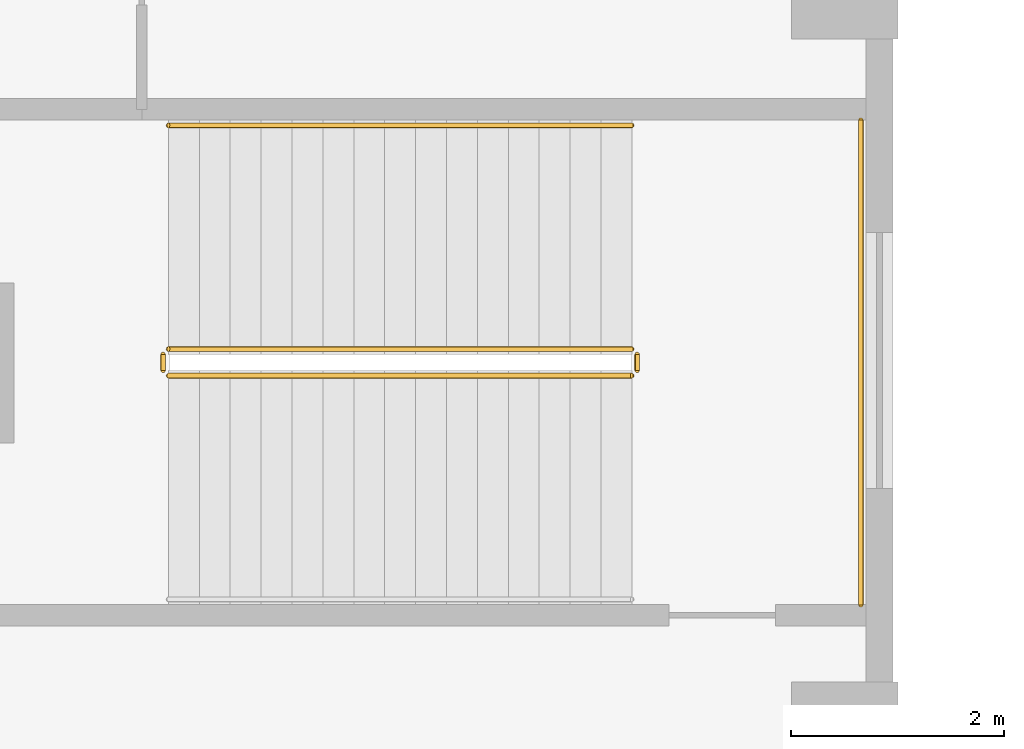
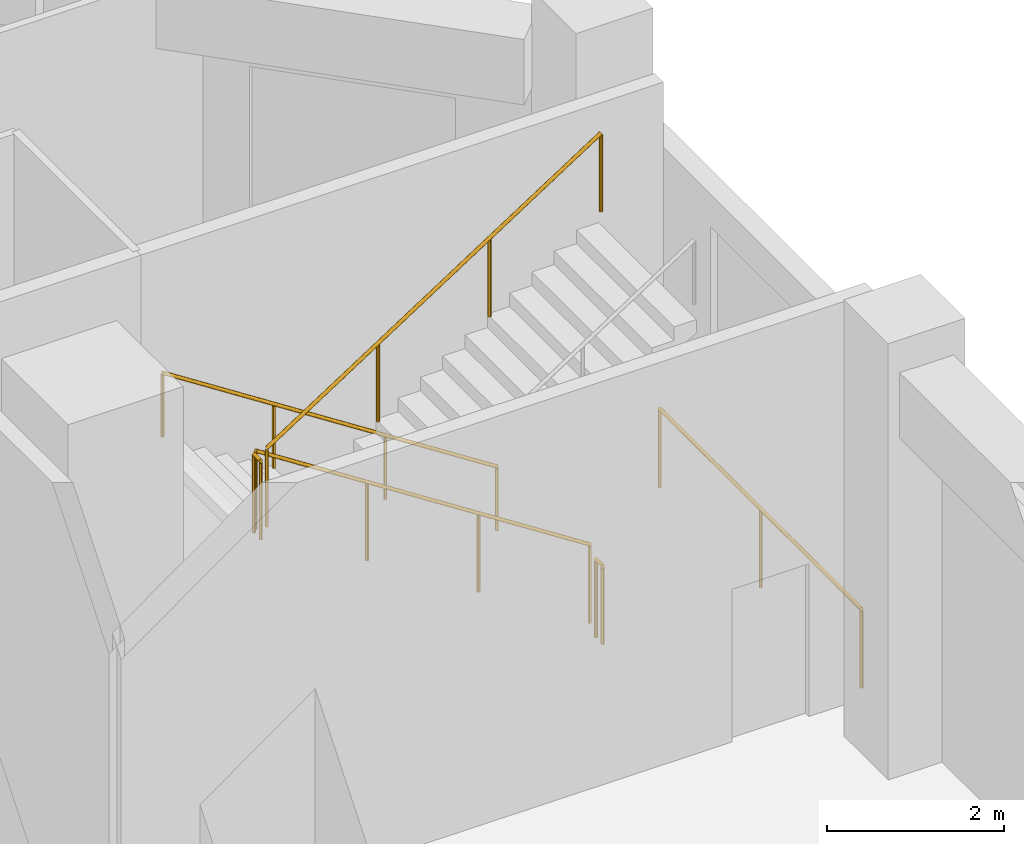
# One storey, part 14 of 15: 6 railings.
"""IFC4 building model written with IfcOpenShell, lengths in metres."""

from ifc_helpers import new_model, si_unit, direction, frame, origin, origin_2d, place, context, subcontext, project, spatial, circle, extrude, material, type_object, element, save


model = new_model("IFC4")

# Units and contexts
model_context = context("Model", 3, precision=1e-05, world=origin(), true_north=direction((0.0, 1.0)))
body_context = subcontext(model_context, "Body", "Model", "MODEL_VIEW")
ifc_project = project(units=[si_unit("LENGTHUNIT", "METRE"), si_unit("AREAUNIT", "SQUARE_METRE"), si_unit("VOLUMEUNIT", "CUBIC_METRE"), si_unit("PLANEANGLEUNIT", "RADIAN"), si_unit("MASSUNIT", "GRAM", prefix="KILO")], contexts=[model_context])

# Site, building, storey
site_placement = place(None, origin())
site = spatial("IfcSite", under=ifc_project, at=site_placement, CompositionType="ELEMENT")
building_placement = place(site_placement, origin())
building = spatial("IfcBuilding", under=site, at=building_placement, Name="Meshkara Civic Tower", CompositionType="ELEMENT")
storey_placement = place(building_placement, frame((0.0, 0.0, 12.60009765625)))
storey = spatial("IfcBuildingStorey", under=building, at=storey_placement, Name="L02", CompositionType="ELEMENT", Elevation=12.60009765625)

# Railings
ifc_material_1 = material(Name="Steel guard", Category="steel")
railing_type_1 = type_object("IfcRailingType", Name="Podium stair guard 1100", PredefinedType="GUARDRAIL", material=ifc_material_1)
railing_1_placement = place(storey_placement, frame((39.89990234375, 36.425048828125, 0.1875)))
element("IfcRailing", 1, at=railing_1_placement, inside=storey, type_object=railing_type_1, Name="L02 PS6 stair guard 1", PredefinedType="GUARDRAIL", context=body_context, shape_type="SweptSolid", body=[
    extrude(circle(Radius=0.02392578125, at=origin_2d()), frame((0.0, 0.0, 1.076171875), z_axis=(-0.839755993153, 0.0, 0.542963969306), x_axis=(0.0, -1.0, 0.0)), (0.0, 0.0, 1.0), 5.179931640625),
    extrude(circle(Radius=0.02099609375, at=origin_2d()), origin(), (0.0, 0.0, 1.0), 1.052001953125),
    extrude(circle(Radius=0.02099609375, at=origin_2d()), frame((-1.449951171875, 0.0, 0.9375)), (0.0, 0.0, 1.0), 1.052001953125),
    extrude(circle(Radius=0.02099609375, at=origin_2d()), frame((-2.89990234375, 0.0, 1.875)), (0.0, 0.0, 1.0), 1.052001953125),
    extrude(circle(Radius=0.02099609375, at=origin_2d()), frame((-4.349853515625, 0.0, 2.8125)), (0.0, 0.0, 1.0), 1.052001953125),
])
railing_2_placement = place(storey_placement, frame((35.5, 36.375, 3.0)))
element("IfcRailing", 2, at=railing_2_placement, inside=storey, type_object=railing_type_1, Name="L02 PS6 stair guard 2", PredefinedType="GUARDRAIL", context=body_context, shape_type="SweptSolid", body=[
    extrude(circle(Radius=0.02392578125, at=origin_2d()), frame((0.0, 0.0, 1.076171875), z_axis=(0.0, -1.0, 0.0), x_axis=(1.0, 0.0, 0.0)), (0.0, 0.0, 1.0), 0.14990234375),
    extrude(circle(Radius=0.02099609375, at=origin_2d()), origin(), (0.0, 0.0, 1.0), 1.052001953125),
    extrude(circle(Radius=0.02099609375, at=origin_2d()), frame((0.0, -0.14990234375, 0.0)), (0.0, 0.0, 1.0), 1.052001953125),
])
railing_3_placement = place(storey_placement, frame((35.550048828125, 36.175048828125, 3.1875)))
element("IfcRailing", 3, at=railing_3_placement, inside=storey, type_object=railing_type_1, Name="L02 PS6 stair guard 3", PredefinedType="GUARDRAIL", context=body_context, shape_type="SweptSolid", body=[
    extrude(circle(Radius=0.02392578125, at=origin_2d()), frame((0.0, 0.0, 1.076171875), z_axis=(0.839755993153, 0.0, 0.542963969306), x_axis=(0.0, 1.0, 0.0)), (0.0, 0.0, 1.0), 5.179931640625),
    extrude(circle(Radius=0.02099609375, at=origin_2d()), origin(), (0.0, 0.0, 1.0), 1.052001953125),
    extrude(circle(Radius=0.02099609375, at=origin_2d()), frame((1.449951171875, 0.0, 0.9375)), (0.0, 0.0, 1.0), 1.052001953125),
    extrude(circle(Radius=0.02099609375, at=origin_2d()), frame((2.89990234375, 0.0, 1.875)), (0.0, 0.0, 1.0), 1.052001953125),
    extrude(circle(Radius=0.02099609375, at=origin_2d()), frame((4.349853515625, 0.0, 2.8125)), (0.0, 0.0, 1.0), 1.052001953125),
])
railing_4_placement = place(storey_placement, frame((39.949951171875, 36.375, 0.0)))
element("IfcRailing", 4, at=railing_4_placement, inside=storey, type_object=railing_type_1, Name="L02 PS6 stair guard 4", PredefinedType="GUARDRAIL", context=body_context, shape_type="SweptSolid", body=[
    extrude(circle(Radius=0.02392578125, at=origin_2d()), frame((0.0, 0.0, 1.076171875), z_axis=(0.0, -1.0, 0.0), x_axis=(1.0, 0.0, 0.0)), (0.0, 0.0, 1.0), 0.14990234375),
    extrude(circle(Radius=0.02099609375, at=origin_2d()), origin(), (0.0, 0.0, 1.0), 1.052001953125),
    extrude(circle(Radius=0.02099609375, at=origin_2d()), frame((0.0, -0.14990234375, 0.0)), (0.0, 0.0, 1.0), 1.052001953125),
])
railing_5_placement = place(storey_placement, frame((42.050048828125, 38.574951171875, 0.0)))
element("IfcRailing", 5, at=railing_5_placement, inside=storey, type_object=railing_type_1, Name="L02 PS6 stair guard 5", PredefinedType="GUARDRAIL", context=body_context, shape_type="SweptSolid", body=[
    extrude(circle(Radius=0.02392578125, at=origin_2d()), frame((0.0, 0.0, 1.076171875), z_axis=(0.0, -1.0, 0.0), x_axis=(1.0, 0.0, 0.0)), (0.0, 0.0, 1.0), 4.550048828125),
    extrude(circle(Radius=0.02099609375, at=origin_2d()), origin(), (0.0, 0.0, 1.0), 1.052001953125),
    extrude(circle(Radius=0.02099609375, at=origin_2d()), frame((0.0, -2.27490234375, 0.0)), (0.0, 0.0, 1.0), 1.052001953125),
    extrude(circle(Radius=0.02099609375, at=origin_2d()), frame((0.0, -4.550048828125, 0.0)), (0.0, 0.0, 1.0), 1.052001953125),
])
ifc_material_2 = material(Name="Steel handrail", Category="steel")
railing_type_2 = type_object("IfcRailingType", Name="Podium stair handrail 900", PredefinedType="HANDRAIL", material=ifc_material_2)
railing_6_placement = place(storey_placement, frame((39.89990234375, 38.52490234375, 0.1875)))
element("IfcRailing", 6, at=railing_6_placement, inside=storey, type_object=railing_type_2, Name="L02 PS6 stair handrail 1", PredefinedType="HANDRAIL", context=body_context, shape_type="SweptSolid", body=[
    extrude(circle(Radius=0.02392578125, at=origin_2d()), frame((0.0, 0.0, 0.8759765625), z_axis=(-0.839755993153, 0.0, 0.542963969306), x_axis=(0.0, -1.0, 0.0)), (0.0, 0.0, 1.0), 5.179931640625),
    extrude(circle(Radius=0.02099609375, at=origin_2d()), origin(), (0.0, 0.0, 1.0), 0.851806640625),
    extrude(circle(Radius=0.02099609375, at=origin_2d()), frame((-1.449951171875, 0.0, 0.9375)), (0.0, 0.0, 1.0), 0.851806640625),
    extrude(circle(Radius=0.02099609375, at=origin_2d()), frame((-2.89990234375, 0.0, 1.875)), (0.0, 0.0, 1.0), 0.851806640625),
    extrude(circle(Radius=0.02099609375, at=origin_2d()), frame((-4.349853515625, 0.0, 2.8125)), (0.0, 0.0, 1.0), 0.851806640625),
])

save(model, "model.ifc")
